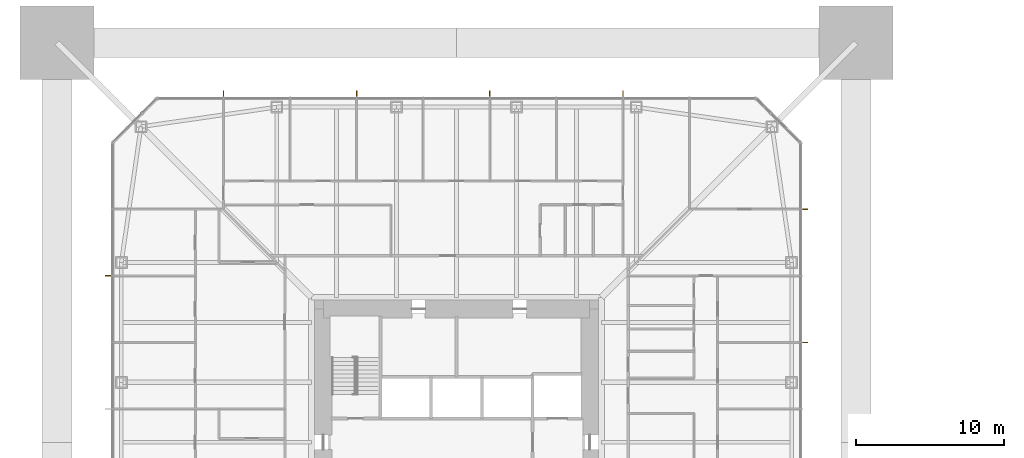
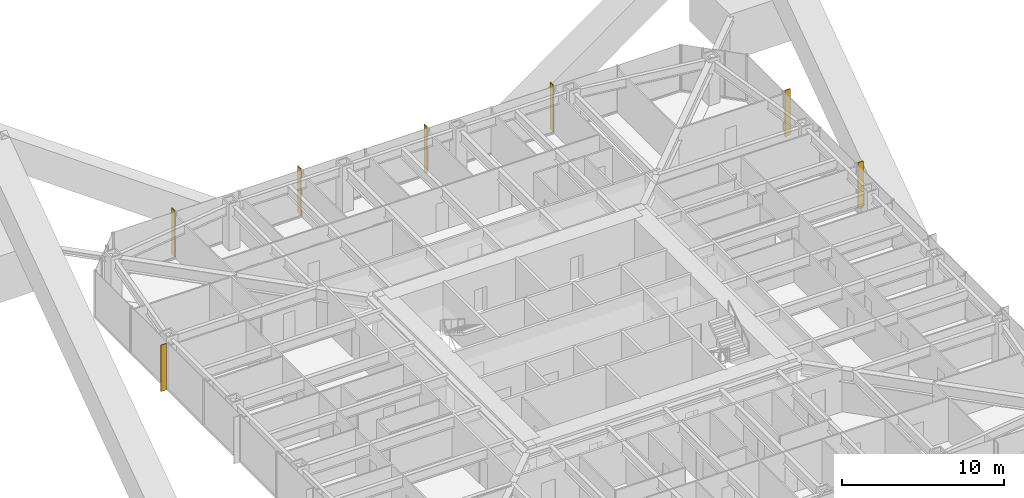
# One storey, part 27 of 28: 7 shading devices.
"""IFC4 building model written with IfcOpenShell, lengths in metres."""

from ifc_helpers import new_model, si_unit, direction, frame, origin, origin_2d, place, context, subcontext, project, spatial, rectangle, extrude, material, layer, layer_set, type_object, element, save


model = new_model("IFC4")

# Units and contexts
model_context = context("Model", 3, precision=1e-05, world=origin(), true_north=direction((0.0, 1.0)))
body_context = subcontext(model_context, "Body", "Model", "MODEL_VIEW")
ifc_project = project(units=[si_unit("LENGTHUNIT", "METRE"), si_unit("AREAUNIT", "SQUARE_METRE"), si_unit("VOLUMEUNIT", "CUBIC_METRE"), si_unit("PLANEANGLEUNIT", "RADIAN"), si_unit("MASSUNIT", "GRAM", prefix="KILO")], contexts=[model_context])

# Site, building, storey
site_placement = place(None, origin())
site = spatial("IfcSite", under=ifc_project, at=site_placement, CompositionType="ELEMENT")
building_placement = place(site_placement, origin())
building = spatial("IfcBuilding", under=site, at=building_placement, Name="Iwan Alto Co-Living Towers", CompositionType="ELEMENT")
storey_placement = place(building_placement, frame((0.0, 0.0, 64.0)))
storey = spatial("IfcBuildingStorey", under=building, at=storey_placement, Name="L17", CompositionType="ELEMENT", Elevation=64.0)

# Shading devices
ifc_material = material(Name="Aluminium 6063-T6 bronze anodised", Category="aluminium")
ifc_layer = layer(ifc_material, 0.050048828125)
ifc_layer_set = layer_set([ifc_layer], Name="BRONZE FIN 50X400")
shading_device_type = type_object("IfcShadingDeviceType", Name="BRONZE FIN 50X400", PredefinedType="USERDEFINED", material=ifc_layer_set)
for number, where, z_axis, x_axis, name in (
    (1, (23.550048828125, 6.75, 0.0), (0.0, 0.0, 1.0), (0.0, 1.0, 0.0), "Bronze fin L17"),
    (2, (23.550048828125, 15.75, 0.0), (0.0, 0.0, 1.0), (0.0, 1.0, 0.0), "Bronze fin L17"),
    (3, (11.25, 23.550048828125, 0.0), (0.0, 0.0, 1.0), (-1.0, 0.0, 0.0), "Bronze fin L17"),
    (4, (2.25, 23.550048828125, 0.0), (0.0, 0.0, 1.0), (-1.0, 0.0, 0.0), "Bronze fin L17"),
    (5, (-6.75, 23.550048828125, 0.0), (0.0, 0.0, 1.0), (-1.0, 0.0, 0.0), "Bronze fin L17"),
    (6, (-15.75, 23.550048828125, 0.0), (0.0, 0.0, 1.0), (-1.0, 0.0, 0.0), "Bronze fin L17"),
    (7, (-23.550048828125, 11.25, 0.0), (0.0, 0.0, 1.0), (0.0, -1.0, 0.0), "Bronze fin L17"),
):
    element("IfcShadingDevice", number, at=place(storey_placement, frame(where, z_axis=z_axis, x_axis=x_axis)), inside=storey, type_object=shading_device_type, Name=name, ObjectType="LOUVER", PredefinedType="USERDEFINED", context=body_context, shape_type="SweptSolid", body=[
        extrude(rectangle(XDim=0.050048828125, YDim=0.39990234375, at=origin_2d()), origin(), (0.0, 0.0, 1.0), 3.5),
    ])

save(model, "model.ifc")
